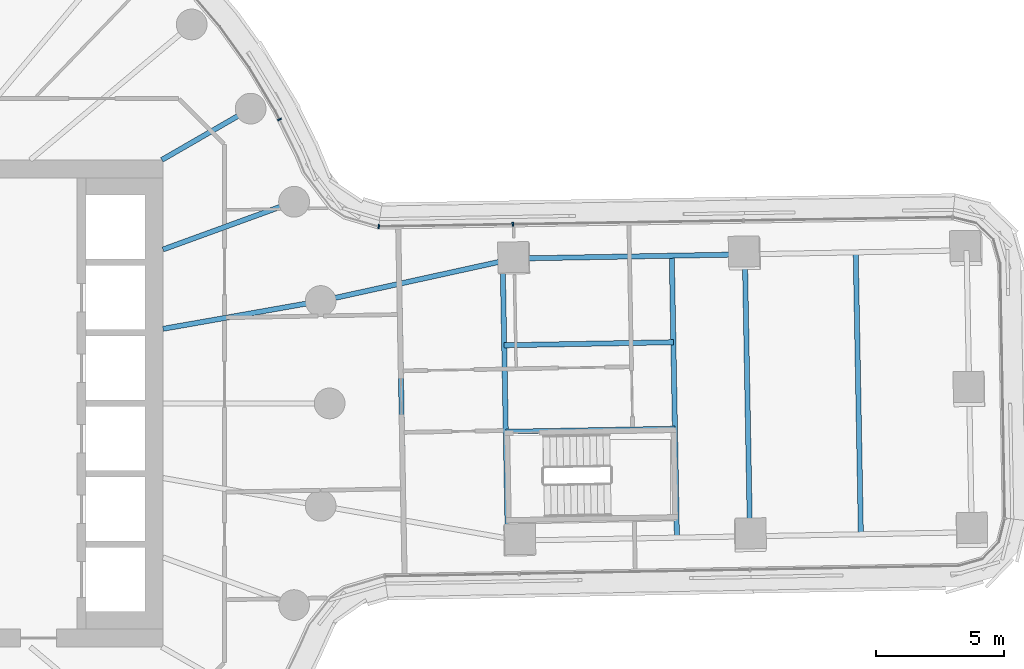
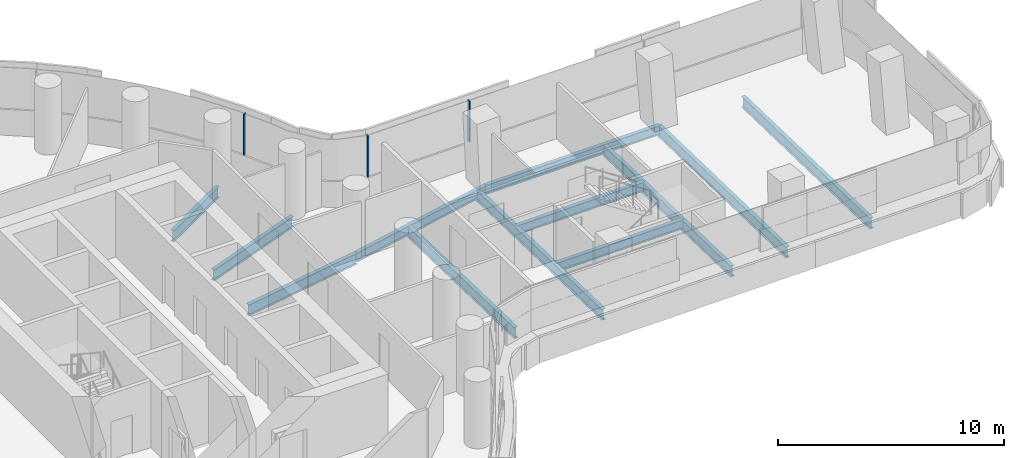
# One storey, part 11 of 31: 12 beams, 3 members, 2 elements without a shape of their own.
"""IFC4 building model written with IfcOpenShell, lengths in metres."""

from ifc_helpers import new_model, si_unit, direction, frame, origin, origin_2d, place, context, subcontext, project, spatial, rectangle, i_section, extrude, material, layer, layer_set, material_profile, profile_set, type_object, element, aggregate, save


model = new_model("IFC4")

# Units and contexts
model_context = context("Model", 3, precision=1e-05, world=origin(), true_north=direction((0.0, 1.0)))
body_context = subcontext(model_context, "Body", "Model", "MODEL_VIEW")
ifc_project = project(units=[si_unit("LENGTHUNIT", "METRE"), si_unit("AREAUNIT", "SQUARE_METRE"), si_unit("VOLUMEUNIT", "CUBIC_METRE"), si_unit("PLANEANGLEUNIT", "RADIAN"), si_unit("MASSUNIT", "GRAM", prefix="KILO")], contexts=[model_context])

# Site, building, storey
site_placement = place(None, origin())
site = spatial("IfcSite", under=ifc_project, at=site_placement, CompositionType="ELEMENT")
building_placement = place(site_placement, origin())
building = spatial("IfcBuilding", under=site, at=building_placement, Name="Tamarind Cross Interchange Tower", CompositionType="ELEMENT")
storey_placement = place(building_placement, frame((0.0, 0.0, 37.75)))
storey = spatial("IfcBuildingStorey", under=building, at=storey_placement, Name="L07", CompositionType="ELEMENT", Elevation=37.75)

# Beams
ifc_material_1 = material(Name="Steel Q355B", Category="steel")
ifc_material_profile_1 = material_profile(ifc_material_1, i_section(OverallWidth=0.198974609375, OverallDepth=0.49609375, WebThickness=0.009033203125, FlangeThickness=0.013916015625, FilletRadius=0.012939453125, at=origin_2d()), Name="HN 496x199x9x14")
ifc_profile_set_1 = profile_set([ifc_material_profile_1], Name="Steel Q355B")
beam_type_1 = type_object("IfcBeamType", Name="Composite beam HN 496x199x9x14 Q355B", PredefinedType="BEAM", material=ifc_profile_set_1)
beam_1_placement = place(storey_placement, frame((39.19677734375, 5.814453125, -0.387939453125), z_axis=(-0.999833836067, -0.018229104613, 0.0), x_axis=(0.018229104613, -0.999833836067, 0.0)))
element("IfcBeam", 1, at=beam_1_placement, inside=storey, type_object=beam_type_1, Name="Beam E-edgeep3", PredefinedType="BEAM", context=body_context, shape_type="SweptSolid", body=[
    extrude(i_section(OverallWidth=0.198974609375, OverallDepth=0.49609375, WebThickness=0.009033203125, FlangeThickness=0.013916015625, FilletRadius=0.012939453125, at=origin_2d()), origin(), (0.0, 0.0, 1.0), 9.0),
])
beam_2_placement = place(storey_placement, frame((30.1982421875, 5.650390625, -0.387939453125), z_axis=(-0.97675241152, -0.214370535732, 0.0), x_axis=(0.214370535732, -0.97675241152, 0.0)))
element("IfcBeam", 2, at=beam_2_placement, inside=storey, type_object=beam_type_1, Name="Beam E-linkep", PredefinedType="BEAM", context=body_context, shape_type="SweptSolid", body=[
    extrude(i_section(OverallWidth=0.198974609375, OverallDepth=0.49609375, WebThickness=0.009033203125, FlangeThickness=0.013916015625, FilletRadius=0.012939453125, at=origin_2d()), origin(), (0.0, 0.0, 1.0), 7.727294921875),
])
for number, where, z_axis, x_axis, name in (
    (3, (29.87158203125, -1.106689453125, -0.387939453125), (0.99983369874, 0.018236635224, 0.0), (-0.018236635224, 0.99983369874, 0.0), "Beam E-tr1"),
    (4, (29.81005859375, 2.267822265625, -0.387939453125), (0.99983369874, 0.018236635224, 0.0), (-0.018236635224, 0.99983369874, 0.0), "Beam E-stripp"),
):
    element("IfcBeam", number, at=place(storey_placement, frame(where, z_axis=z_axis, x_axis=x_axis)), inside=storey, type_object=beam_type_1, Name=name, PredefinedType="BEAM", context=body_context, shape_type="SweptSolid", body=[
        extrude(i_section(OverallWidth=0.198974609375, OverallDepth=0.49609375, WebThickness=0.009033203125, FlangeThickness=0.013916015625, FilletRadius=0.012939453125, at=origin_2d()), origin(), (0.0, 0.0, 1.0), 6.599853515625),
    ])
ifc_material_profile_2 = material_profile(ifc_material_1, i_section(OverallWidth=0.198974609375, OverallDepth=0.595947265625, WebThickness=0.010009765625, FlangeThickness=0.014892578125, FilletRadius=0.012939453125, at=origin_2d()), Name="HN 596x199x10x15")
ifc_profile_set_2 = profile_set([ifc_material_profile_2], Name="Steel Q355B")
beam_type_2 = type_object("IfcBeamType", Name="Composite beam HN 596x199x10x15 Q355B", PredefinedType="BEAM", material=ifc_profile_set_2)
beam_3_placement = place(storey_placement, frame((22.650634765625, 3.993896484375, -0.43798828125), z_axis=(-0.984809127561, -0.173640382036, 0.0), x_axis=(0.173640382036, -0.984809127561, 0.0)))
element("IfcBeam", 5, at=beam_3_placement, inside=storey, type_object=beam_type_2, Name="Beam HH01", PredefinedType="BEAM", context=body_context, shape_type="SweptSolid", body=[
    extrude(i_section(OverallWidth=0.198974609375, OverallDepth=0.595947265625, WebThickness=0.010009765625, FlangeThickness=0.014892578125, FilletRadius=0.012939453125, at=origin_2d()), origin(), (0.0, 0.0, 1.0), 6.24560546875),
])
beam_4_placement = place(storey_placement, frame((21.613037109375, 7.866455078125, -0.43798828125), z_axis=(-0.939701685589, -0.341995236956, 0.0), x_axis=(0.341995236956, -0.939701685589, 0.0)))
element("IfcBeam", 6, at=beam_4_placement, inside=storey, type_object=beam_type_2, Name="Beam HH02", PredefinedType="BEAM", context=body_context, shape_type="SweptSolid", body=[
    extrude(i_section(OverallWidth=0.198974609375, OverallDepth=0.595947265625, WebThickness=0.010009765625, FlangeThickness=0.014892578125, FilletRadius=0.012939453125, at=origin_2d()), origin(), (0.0, 0.0, 1.0), 5.441162109375),
])
beam_5_placement = place(storey_placement, frame((19.918701171875, 11.5, -0.43798828125), z_axis=(-0.866026010844, -0.49999894854, 0.0), x_axis=(0.49999894854, -0.866026010844, 0.0)))
element("IfcBeam", 7, at=beam_5_placement, inside=storey, type_object=beam_type_2, Name="Beam HH03", PredefinedType="BEAM", context=body_context, shape_type="SweptSolid", body=[
    extrude(i_section(OverallWidth=0.198974609375, OverallDepth=0.595947265625, WebThickness=0.010009765625, FlangeThickness=0.014892578125, FilletRadius=0.012939453125, at=origin_2d()), origin(), (0.0, 0.0, 1.0), 4.0),
])
ifc_material_profile_3 = material_profile(ifc_material_1, i_section(OverallWidth=0.199951171875, OverallDepth=0.60009765625, WebThickness=0.010986328125, FlangeThickness=0.01708984375, FilletRadius=0.012939453125, at=origin_2d()), Name="HN 600x200x11x17")
ifc_profile_set_3 = profile_set([ifc_material_profile_3], Name="Steel Q355B")
beam_type_3 = type_object("IfcBeamType", Name="Composite beam HN 600x200x11x17 Q355B", PredefinedType="BEAM", material=ifc_profile_set_3)
beam_6_placement = place(storey_placement, frame((29.947509765625, -5.268798828125, -0.43994140625), z_axis=(-0.018249746599, 0.999833459507, 0.0), x_axis=(-0.999833459507, -0.018249746599, 0.0)))
element("IfcBeam", 8, at=beam_6_placement, inside=storey, type_object=beam_type_3, Name="Beam E-x298", PredefinedType="BEAM", context=body_context, shape_type="SweptSolid", body=[
    extrude(i_section(OverallWidth=0.199951171875, OverallDepth=0.60009765625, WebThickness=0.010986328125, FlangeThickness=0.01708984375, FilletRadius=0.012939453125, at=origin_2d()), origin(), (0.0, 0.0, 1.0), 10.822509765625),
])
for number, where, z_axis, x_axis, name in (
    (9, (36.5478515625, -5.235595703125, -0.43994140625), (-0.018221978469, 0.999833965967, 0.0), (-0.999833965967, -0.018221978469, 0.0), "Beam E-x364"),
    (10, (39.3974609375, -5.18359375, -0.43994140625), (-0.018244165944, 0.999833561354, 0.0), (-0.999833561354, -0.018244165944, 0.0), "Beam E-x393"),
):
    element("IfcBeam", number, at=place(storey_placement, frame(where, z_axis=z_axis, x_axis=x_axis)), inside=storey, type_object=beam_type_3, Name=name, PredefinedType="BEAM", context=body_context, shape_type="SweptSolid", body=[
        extrude(i_section(OverallWidth=0.199951171875, OverallDepth=0.60009765625, WebThickness=0.010986328125, FlangeThickness=0.01708984375, FilletRadius=0.012939453125, at=origin_2d()), origin(), (0.0, 0.0, 1.0), 10.999755859375),
    ])
beam_7_placement = place(storey_placement, frame((25.8837890625, -4.558837890625, -0.43994140625), z_axis=(-0.01823075376, 0.999833805998, 0.0), x_axis=(-0.999833805998, -0.01823075376, 0.0)))
element("IfcBeam", 11, at=beam_7_placement, inside=storey, type_object=beam_type_3, Name="Beam E-x258", PredefinedType="BEAM", context=body_context, shape_type="SweptSolid", body=[
    extrude(i_section(OverallWidth=0.199951171875, OverallDepth=0.60009765625, WebThickness=0.010986328125, FlangeThickness=0.01708984375, FilletRadius=0.012939453125, at=origin_2d()), origin(), (0.0, 0.0, 1.0), 9.226806640625),
])
beam_8_placement = place(storey_placement, frame((43.72314453125, -5.104736328125, -0.43994140625), z_axis=(-0.018244165944, 0.999833561354, 0.0), x_axis=(-0.999833561354, -0.018244165944, 0.0)))
element("IfcBeam", 12, at=beam_8_placement, inside=storey, type_object=beam_type_3, Name="Beam E-x436", PredefinedType="BEAM", context=body_context, shape_type="SweptSolid", body=[
    extrude(i_section(OverallWidth=0.199951171875, OverallDepth=0.60009765625, WebThickness=0.010986328125, FlangeThickness=0.01708984375, FilletRadius=0.012939453125, at=origin_2d()), origin(), (0.0, 0.0, 1.0), 10.999755859375),
])

# Curtain wall, member
ifc_material_2 = material(Name="Aluminium 6063-T6", Category="aluminium")
ifc_layer = layer(ifc_material_2, 0.159912109375)
ifc_layer_set = layer_set([ifc_layer], Name="Aluminium 6063-T6")
curtain_wall_type = type_object("IfcCurtainWallType", Name="Office curtain wall, 9.0 m bays", PredefinedType="NOTDEFINED", material=ifc_layer_set)
curtain_wall_1_placement = place(storey_placement, origin())
curtain_wall_1 = element("IfcCurtainWall", 13, at=curtain_wall_1_placement, inside=storey, type_object=curtain_wall_type, Name="CWS-L07-13", PredefinedType="NOTDEFINED")
ifc_material_profile_4 = material_profile(ifc_material_2, rectangle(XDim=0.06005859375, YDim=0.159912109375, at=origin_2d()), Name="Mullion CW1")
ifc_profile_set_4 = profile_set([ifc_material_profile_4], Name="Aluminium 6063-T6")
member_type = type_object("IfcMemberType", Name="Mullion CW1", PredefinedType="MULLION", material=ifc_profile_set_4)
member_1_placement = place(storey_placement, frame((30.144287109375, 6.984619140625, 1.39990234375), z_axis=(0.0, 0.0, 1.0), x_axis=(-0.999868866543, -0.016194126045, 0.0)))
member_1 = element("IfcMember", 14, at=member_1_placement, type_object=member_type, Name="CWM-L07-13-02", PredefinedType="MULLION", context=body_context, shape_type="SweptSolid", body=[
    extrude(rectangle(XDim=0.06005859375, YDim=0.159912109375, at=origin_2d()), origin(), (0.0, 0.0, 1.0), 2.210205078125),
])
aggregate(curtain_wall_1, [member_1])

# Curtain wall, members
curtain_wall_2_placement = place(storey_placement, origin())
curtain_wall_2 = element("IfcCurtainWall", 15, at=curtain_wall_2_placement, inside=storey, type_object=curtain_wall_type, Name="CWS-L07-14", PredefinedType="NOTDEFINED")
member_2_placement = place(storey_placement, frame((24.917724609375, 6.900146484375, 1.39990234375), z_axis=(0.0, 0.0, 1.0), x_axis=(-0.990913428854, 0.134501213808, 0.0)))
member_2 = element("IfcMember", 16, at=member_2_placement, type_object=member_type, Name="CWM-L07-14-00", PredefinedType="MULLION", context=body_context, shape_type="SweptSolid", body=[
    extrude(rectangle(XDim=0.06005859375, YDim=0.159912109375, at=origin_2d()), origin(), (0.0, 0.0, 1.0), 2.210205078125),
])
member_3_placement = place(storey_placement, frame((21.045166015625, 11.078857421875, 1.39990234375), z_axis=(0.0, 0.0, 1.0), x_axis=(-0.443058811505, 0.896492548518, 0.0)))
member_3 = element("IfcMember", 17, at=member_3_placement, type_object=member_type, Name="CWM-L07-14-01", PredefinedType="MULLION", context=body_context, shape_type="SweptSolid", body=[
    extrude(rectangle(XDim=0.06005859375, YDim=0.159912109375, at=origin_2d()), origin(), (0.0, 0.0, 1.0), 2.210205078125),
])
aggregate(curtain_wall_2, [member_2, member_3])

save(model, "model.ifc")
